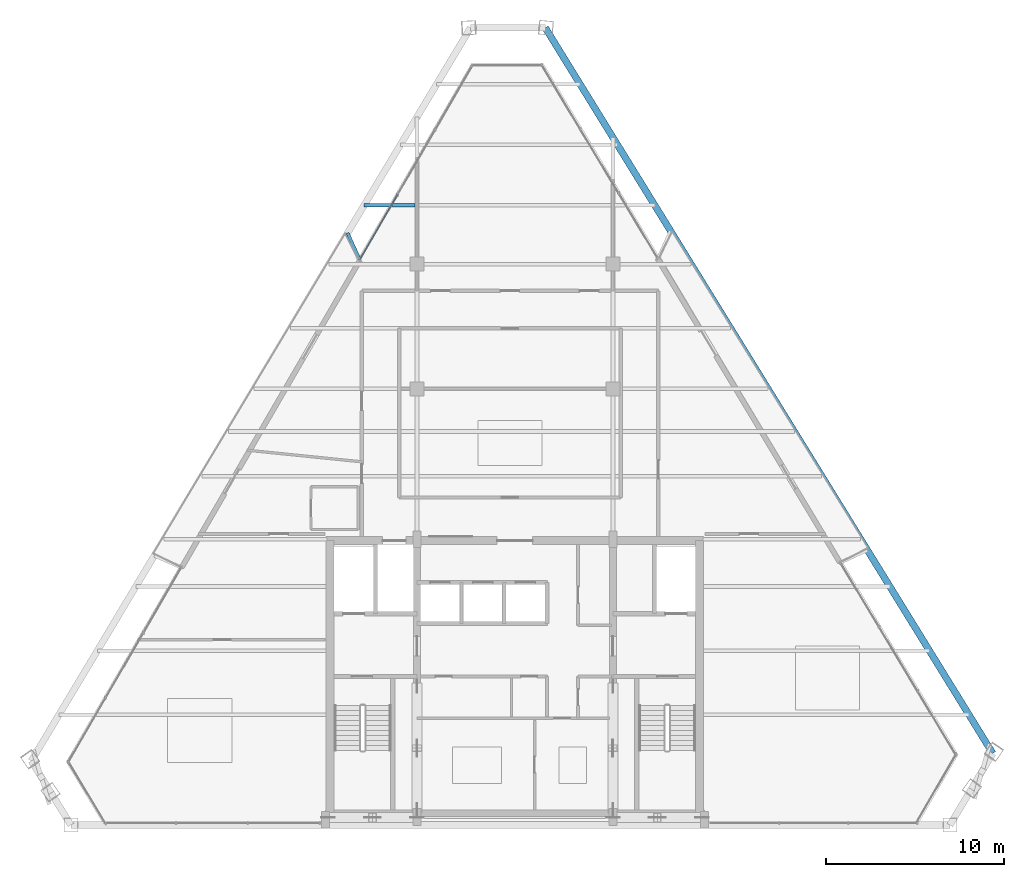
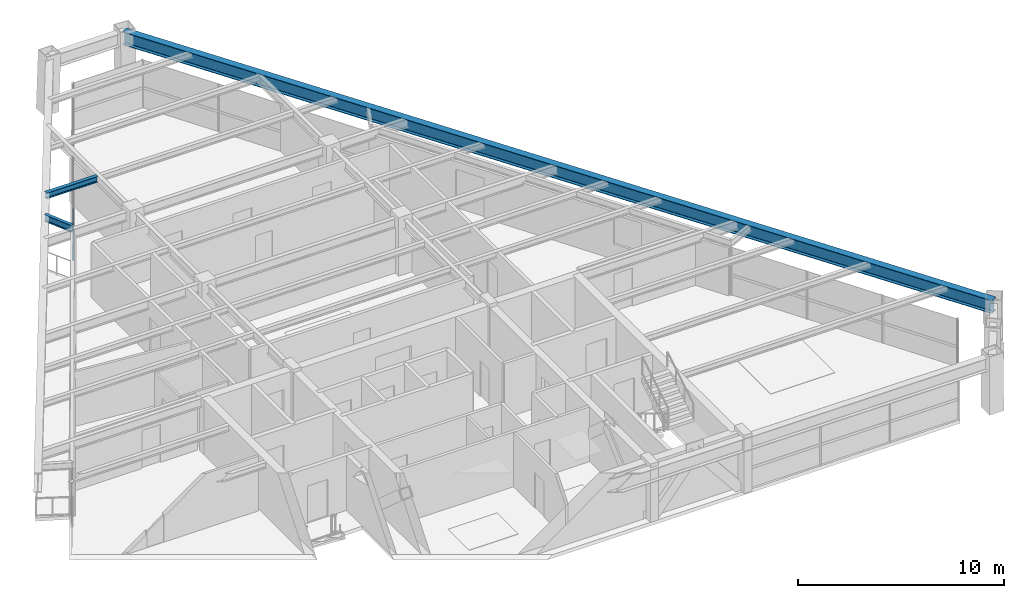
# One storey, part 6 of 13: 3 beams, 1 member, 1 element without a shape of its own.
"""IFC4 building model written with IfcOpenShell, lengths in metres."""

import ifcopenshell
import ifcopenshell.guid

model = None  # the IFC model being written
_history = None  # IfcOwnerHistory: only IFC2X3 demands one
_inside = {}  # id of a spatial element -> (the spatial element, [elements in it])
_under = {}  # id of a project, library or spatial element -> (it, [spatial elements below it])
_declared = {}  # id of a project -> (the project, [libraries it declares])
_typed = {}  # id of a type object -> (the type object, [elements of that type])
_made_of = {}  # id of a material, layer set ... -> (it, [elements and type objects made of it])


def new_model(schema):
    """Start an empty IFC model of exactly this schema.

    Asked for "IFC4X3", IfcOpenShell would pick the latest addendum, in which some entities
    have other attributes; the version numbers below select the first issue.
    IFC2X3 requires an IfcOwnerHistory on every rooted entity: one is made here for all.
    """
    global model, _history
    if schema == "IFC4X3":
        model = ifcopenshell.file(schema_version=(4, 3, 0, 0))
    else:
        model = ifcopenshell.file(schema=schema)
    _inside.clear()
    _under.clear()
    _declared.clear()
    _typed.clear()
    _made_of.clear()
    _history = None
    if model.schema == "IFC2X3":
        org = make("IfcOrganization", Name="unknown")
        user = make(
            "IfcPersonAndOrganization",
            ThePerson=make("IfcPerson", FamilyName="unknown"),
            TheOrganization=org,
        )
        app = make(
            "IfcApplication",
            ApplicationDeveloper=org,
            Version="unknown",
            ApplicationFullName="unknown",
            ApplicationIdentifier="unknown",
        )
        _history = make(
            "IfcOwnerHistory",
            OwningUser=user,
            OwningApplication=app,
            ChangeAction="ADDED",
            CreationDate=0,
        )
    return model


def make(cls, **values):
    """One entity of the class cls with the attributes given. An attribute that is None is left unset."""
    return model.create_entity(
        cls, **{name: value for name, value in values.items() if value is not None}
    )


def rooted(cls, **values):
    """An entity with a GlobalId (a new one), such as an element, a storey or a relation."""
    return make(cls, GlobalId=ifcopenshell.guid.new(), OwnerHistory=_history, **values)


def si_unit(unit_type, name, prefix=None):
    """IfcSIUnit, for example si_unit("LENGTHUNIT", "METRE", prefix="MILLI")."""
    return make("IfcSIUnit", UnitType=unit_type, Prefix=prefix, Name=name)


def assignment(units):
    """IfcUnitAssignment: the units of a project."""
    return None if units is None else make("IfcUnitAssignment", Units=units)


def point(xyz):
    """IfcCartesianPoint."""
    return None if xyz is None else make("IfcCartesianPoint", Coordinates=xyz)


def direction(xyz):
    """IfcDirection."""
    return None if xyz is None else make("IfcDirection", DirectionRatios=xyz)


def frame(location, z_axis=None, x_axis=None):
    """IfcAxis2Placement3D, a coordinate frame: its origin and axes. An axis left out is left unset."""
    return make(
        "IfcAxis2Placement3D",
        Location=point(location),
        Axis=direction(z_axis),
        RefDirection=direction(x_axis),
    )


def frame_2d(location, x_axis=None):
    """IfcAxis2Placement2D, a coordinate frame in the plane: its origin and x axis."""
    return make(
        "IfcAxis2Placement2D", Location=point(location), RefDirection=direction(x_axis)
    )


def origin():
    """The frame at (0, 0, 0) with its axes left unset."""
    return frame((0.0, 0.0, 0.0))


def origin_2d():
    """The frame at (0, 0) in the plane with its x axis left unset."""
    return frame_2d((0.0, 0.0))


def place(relative_to, where):
    """IfcLocalPlacement: puts the frame where relative to a parent placement (None: the world)."""
    return make(
        "IfcLocalPlacement", PlacementRelTo=relative_to, RelativePlacement=where
    )


def context(
    kind, dimensions, precision=None, world=None, true_north=None, identifier=None
):
    """IfcGeometricRepresentationContext, for example the 3D "Model" context."""
    return make(
        "IfcGeometricRepresentationContext",
        ContextIdentifier=identifier,
        ContextType=kind,
        CoordinateSpaceDimension=dimensions,
        Precision=precision,
        WorldCoordinateSystem=world,
        TrueNorth=true_north,
    )


def subcontext(parent, identifier, kind, view, scale=None):
    """IfcGeometricRepresentationSubContext, for example "Body" below "Model"."""
    return make(
        "IfcGeometricRepresentationSubContext",
        ContextIdentifier=identifier,
        ContextType=kind,
        ParentContext=parent,
        TargetScale=scale,
        TargetView=view,
    )


def project(units=None, contexts=None):
    """IfcProject with its units and contexts."""
    return rooted(
        "IfcProject",
        Name="project",
        RepresentationContexts=contexts,
        UnitsInContext=assignment(units),
    )


def spatial(cls, under=None, at=None, **own):
    """A site, building, storey or space (cls), placed at a placement, below another one or the project."""
    s = rooted(cls, ObjectPlacement=at, **own)
    if under is not None:
        _under.setdefault(under.id(), (under, []))[1].append(s)
    return s


def profile(cls, at=None, kind="AREA", **sizes):
    """A parametric profile (cls). Its sizes go by their IFC names, for example OverallWidth=200.0."""
    return make(cls, ProfileType=kind, Position=at, **sizes)


def rectangle(**sizes):
    """IfcRectangleProfileDef."""
    return profile("IfcRectangleProfileDef", **sizes)


def i_section(**sizes):
    """IfcIShapeProfileDef."""
    return profile("IfcIShapeProfileDef", **sizes)


def extrude(swept, where, along, depth):
    """IfcExtrudedAreaSolid: the profile swept, set in the frame where, extruded along a direction by depth."""
    return make(
        "IfcExtrudedAreaSolid",
        SweptArea=swept,
        Position=where,
        ExtrudedDirection=direction(along),
        Depth=depth,
    )


def shape(context_of_items, identifier, shape_type, items):
    """IfcShapeRepresentation: the items that make up one representation, for example the "Body"."""
    return make(
        "IfcShapeRepresentation",
        ContextOfItems=context_of_items,
        RepresentationIdentifier=identifier,
        RepresentationType=shape_type,
        Items=items,
    )


def source(mapping_origin, context_of_items, identifier, shape_type, items):
    """IfcRepresentationMap: a shape defined once, which mapped items show again and again."""
    return make(
        "IfcRepresentationMap",
        MappingOrigin=mapping_origin,
        MappedRepresentation=shape(context_of_items, identifier, shape_type, items),
    )


def transform(
    local_origin,
    x_axis=None,
    y_axis=None,
    z_axis=None,
    scale=None,
    scale2=None,
    scale3=None,
    uniform=True,
):
    """IfcCartesianTransformationOperator3D, or its non-uniform kind. x_axis, y_axis, z_axis: its Axis1, 2, 3."""
    if uniform:
        return make(
            "IfcCartesianTransformationOperator3D",
            Axis1=direction(x_axis),
            Axis2=direction(y_axis),
            LocalOrigin=point(local_origin),
            Scale=scale,
            Axis3=direction(z_axis),
        )
    return make(
        "IfcCartesianTransformationOperator3DnonUniform",
        Axis1=direction(x_axis),
        Axis2=direction(y_axis),
        LocalOrigin=point(local_origin),
        Scale=scale,
        Axis3=direction(z_axis),
        Scale2=scale2,
        Scale3=scale3,
    )


def mapped(mapping_source, mapping_target):
    """IfcMappedItem: shows the shape of a source again, moved by a transform."""
    return make(
        "IfcMappedItem", MappingSource=mapping_source, MappingTarget=mapping_target
    )


def material(Name=None, Category=None):
    """IfcMaterial."""
    return make("IfcMaterial", Name=Name, Category=Category)


def material_profile(
    of_material, cross_section, Name=None, Category=None, Priority=None
):
    """IfcMaterialProfile: a cross section and its material."""
    return make(
        "IfcMaterialProfile",
        Name=Name,
        Material=of_material,
        Profile=cross_section,
        Priority=Priority,
        Category=Category,
    )


def profile_set(profiles, Name=None, composite=None):
    """IfcMaterialProfileSet."""
    return make(
        "IfcMaterialProfileSet",
        Name=Name,
        MaterialProfiles=profiles,
        CompositeProfile=composite,
    )


def made_of(thing, what):
    """Note that an element or type object is made of a material, layer set ...; save() writes the relation."""
    if what is not None:
        _made_of.setdefault(what.id(), (what, []))[1].append(thing)
    return thing


def type_object(cls, material=None, **own):
    """A type object (cls), such as IfcWallType, which elements share."""
    return made_of(rooted(cls, **own), material)


def element(
    cls,
    number,
    at=None,
    inside=None,
    cuts=None,
    type_object=None,
    material=None,
    context=None,
    identifier="Body",
    shape_type=None,
    held_by="IfcProductDefinitionShape",
    body=None,
    shapes=None,
    **own,
):
    """One element of the class cls, such as IfcWall. Its Tag is "e" and its number.

    at: its placement. inside: the storey or other place that contains it. cuts: it is an
    opening in that element (IfcRelVoidsElement). A single representation is given by context,
    identifier, shape_type and body (its items); several are given by shapes. held_by: the class
    of the entity that holds the representations. save() writes the other relations.
    """
    e = rooted(cls, Tag="e%d" % number, ObjectPlacement=at, **own)
    if body is not None:
        shapes = [shape(context, identifier, shape_type, body)]
    if shapes is not None:
        e.Representation = make(held_by, Representations=shapes)
    if inside is not None:
        _inside.setdefault(inside.id(), (inside, []))[1].append(e)
    if cuts is not None:
        rooted(
            "IfcRelVoidsElement", RelatingBuildingElement=cuts, RelatedOpeningElement=e
        )
    if type_object is not None:
        _typed.setdefault(type_object.id(), (type_object, []))[1].append(e)
    return made_of(e, material)


def aggregate(whole, parts):
    """IfcRelAggregates: a whole, such as a stair, and the parts it consists of."""
    return rooted("IfcRelAggregates", RelatingObject=whole, RelatedObjects=parts)


def save(model, path):
    """Write the relations noted so far, then the file.

    IfcRelAggregates (storeys below a building ...), IfcRelContainedInSpatialStructure (elements
    in a storey), IfcRelDefinesByType, IfcRelAssociatesMaterial and IfcRelDeclares: one each for
    every whole, place, type object, material and project.
    """
    for whole, parts in _under.values():
        aggregate(whole, parts)
    for where, things in _inside.values():
        rooted(
            "IfcRelContainedInSpatialStructure",
            RelatedElements=things,
            RelatingStructure=where,
        )
    for kind, things in _typed.values():
        rooted("IfcRelDefinesByType", RelatedObjects=things, RelatingType=kind)
    for what, things in _made_of.values():
        rooted("IfcRelAssociatesMaterial", RelatedObjects=things, RelatingMaterial=what)
    for by, libraries in _declared.values():
        rooted("IfcRelDeclares", RelatingContext=by, RelatedDefinitions=libraries)
    model.write(path)


model = new_model("IFC4")

# Units and contexts
model_context = context("Model", 3, precision=1e-05, world=origin(), true_north=direction((0.0, 1.0)))
body_context = subcontext(model_context, "Body", "Model", "MODEL_VIEW")
ifc_project = project(units=[si_unit("LENGTHUNIT", "METRE"), si_unit("AREAUNIT", "SQUARE_METRE"), si_unit("VOLUMEUNIT", "CUBIC_METRE"), si_unit("PLANEANGLEUNIT", "RADIAN"), si_unit("MASSUNIT", "GRAM", prefix="KILO")], contexts=[model_context])

# Site, building, storey
site_placement = place(None, origin())
site = spatial("IfcSite", under=ifc_project, at=site_placement, CompositionType="ELEMENT")
building_placement = place(site_placement, origin())
building = spatial("IfcBuilding", under=site, at=building_placement, Name="Varnakhor Terracotta Tower", CompositionType="ELEMENT")
storey_placement = place(building_placement, frame((0.0, 0.0, 266.10009765625)))
storey = spatial("IfcBuildingStorey", under=building, at=storey_placement, Name="L69", CompositionType="ELEMENT", Elevation=266.10009765625)

# Beams
ifc_material_1 = material(Name="Steel S355", Category="steel")
ifc_material_profile_1 = material_profile(ifc_material_1, i_section(OverallWidth=0.381103515625, OverallDepth=0.77294921875, WebThickness=0.01708984375, FlangeThickness=0.027099609375, FilletRadius=0.01806640625, at=origin_2d()), Name="W30X173")
ifc_profile_set_1 = profile_set([ifc_material_profile_1], Name="Steel S355")
beam_type_1 = type_object("IfcBeamType", Name="BM-W30X173", PredefinedType="BEAM", material=ifc_profile_set_1)
shared_shape_1 = source(origin(), body_context, "Body", "SweptSolid", [
    extrude(i_section(OverallWidth=0.381103515625, OverallDepth=0.77294921875, WebThickness=0.01708984375, FlangeThickness=0.027099609375, FilletRadius=0.01806640625, at=origin_2d()), origin(), (0.0, 0.0, 1.0), 47.878662109375),
])
beam_1_placement = place(storey_placement, frame((26.834716796875, 4.023681640625, 2.853515625), z_axis=(-0.524890673282, 0.851169654711, 0.0), x_axis=(-0.851169654711, -0.524890673282, 0.0)))
element("IfcBeam", 1, at=beam_1_placement, inside=storey, type_object=beam_type_1, Name="L69 Perimeter Spandrel 4", PredefinedType="BEAM", context=body_context, shape_type="MappedRepresentation", body=[
    mapped(shared_shape_1, transform((0.0, 0.0, 0.0), scale=1.0)),
])
ifc_material_profile_2 = material_profile(ifc_material_1, i_section(OverallWidth=0.202880859375, OverallDepth=0.346923828125, WebThickness=0.0078125, FlangeThickness=0.013427734375, FilletRadius=0.01806640625, at=origin_2d()), Name="W14X43")
ifc_profile_set_2 = profile_set([ifc_material_profile_2], Name="Steel S355")
beam_type_2 = type_object("IfcBeamType", Name="JST-W14X43", PredefinedType="JOIST", material=ifc_profile_set_2)
shared_shape_2 = source(origin(), body_context, "Body", "SweptSolid", [
    extrude(i_section(OverallWidth=0.202880859375, OverallDepth=0.346923828125, WebThickness=0.0078125, FlangeThickness=0.013427734375, FilletRadius=0.01806640625, at=origin_2d()), origin(), (0.0, 0.0, 1.0), 2.867431640625),
])
beam_2_placement = place(storey_placement, frame((-8.470458984375, 34.800048828125, 3.06640625), z_axis=(1.0, 0.0, 0.0), x_axis=(0.0, 1.0, 0.0)))
element("IfcBeam", 2, at=beam_2_placement, inside=storey, type_object=beam_type_2, Name="L69 Composite Floor Joist 7-1", PredefinedType="JOIST", context=body_context, shape_type="MappedRepresentation", body=[
    mapped(shared_shape_2, transform((0.0, 0.0, 0.0), scale=1.0)),
])

# Curtain wall, member
ifc_material_2 = material(Name="Anodised Aluminium Curtain Wall System", Category="aluminium")
curtain_wall_type = type_object("IfcCurtainWallType", Name="CW-SYS-HOTEL-LOGGIA", PredefinedType="NOTDEFINED", material=ifc_material_2)
curtain_wall_placement = place(storey_placement, origin())
curtain_wall = element("IfcCurtainWall", 3, at=curtain_wall_placement, inside=storey, type_object=curtain_wall_type, Name="L69 W Facet Curtain Wall 2", PredefinedType="NOTDEFINED")
ifc_material_3 = material(Name="Anodised Aluminium 6063-T6", Category="aluminium")
ifc_material_profile_3 = material_profile(ifc_material_3, rectangle(XDim=0.06494140625, YDim=0.14501953125, at=origin_2d()), Name="ALU TRANSOM 65x145")
ifc_profile_set_3 = profile_set([ifc_material_profile_3], Name="Anodised Aluminium 6063-T6")
member_type = type_object("IfcMemberType", Name="CWT-04", PredefinedType="USERDEFINED", material=ifc_profile_set_3)
shared_shape_3 = source(origin(), body_context, "Body", "SweptSolid", [
    extrude(rectangle(XDim=0.06494140625, YDim=0.14501953125, at=origin_2d()), origin(), (0.0, 0.0, 1.0), 4.213134765625),
])
member_placement = place(storey_placement, frame((-8.700927734375, 31.7626953125, 1.184326171875), z_axis=(0.501819549642, 0.864972334585, 0.0), x_axis=(-0.864972334585, 0.501819549642, 0.0)))
member = element("IfcMember", 4, at=member_placement, type_object=member_type, Name="L69 W Facet Curtain Wall 2 Transom 1", ObjectType="TRANSOM", PredefinedType="USERDEFINED", context=body_context, shape_type="MappedRepresentation", body=[
    mapped(shared_shape_3, transform((0.0, 0.0, 0.0), scale=1.0)),
])
aggregate(curtain_wall, [member])

# Beam
ifc_material_profile_4 = material_profile(ifc_material_1, i_section(OverallWidth=0.179931640625, OverallDepth=0.39990234375, WebThickness=0.008544921875, FlangeThickness=0.013427734375, FilletRadius=0.01806640625, at=origin_2d()), Name="IPE400")
ifc_profile_set_4 = profile_set([ifc_material_profile_4], Name="Steel S355")
beam_type_3 = type_object("IfcBeamType", Name="JST-IPE400", PredefinedType="JOIST", material=ifc_profile_set_4)
shared_shape_4 = source(origin(), body_context, "Body", "SweptSolid", [
    extrude(i_section(OverallWidth=0.179931640625, OverallDepth=0.39990234375, WebThickness=0.008544921875, FlangeThickness=0.013427734375, FilletRadius=0.01806640625, at=origin_2d()), origin(), (0.0, 0.0, 1.0), 1.632080078125),
])
beam_3_placement = place(storey_placement, frame((-8.716796875, 31.765869140625, 3.039794921875), z_axis=(-0.418688193628, 0.908130054847, 0.0), x_axis=(-0.908130054847, -0.418688193628, 0.0)))
element("IfcBeam", 5, at=beam_3_placement, inside=storey, type_object=beam_type_3, Name="L70 W Loggia Tie Beam 2", PredefinedType="JOIST", context=body_context, shape_type="MappedRepresentation", body=[
    mapped(shared_shape_4, transform((0.0, 0.0, 0.0), scale=1.0)),
])

save(model, "model.ifc")
